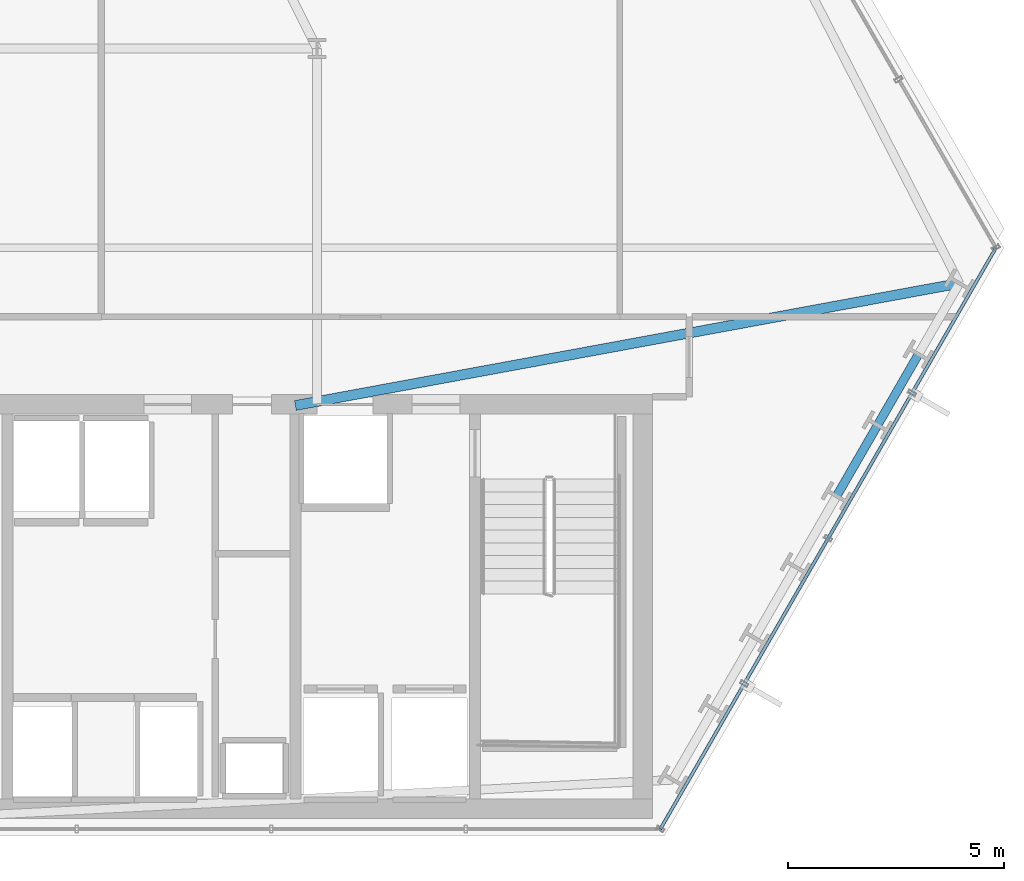
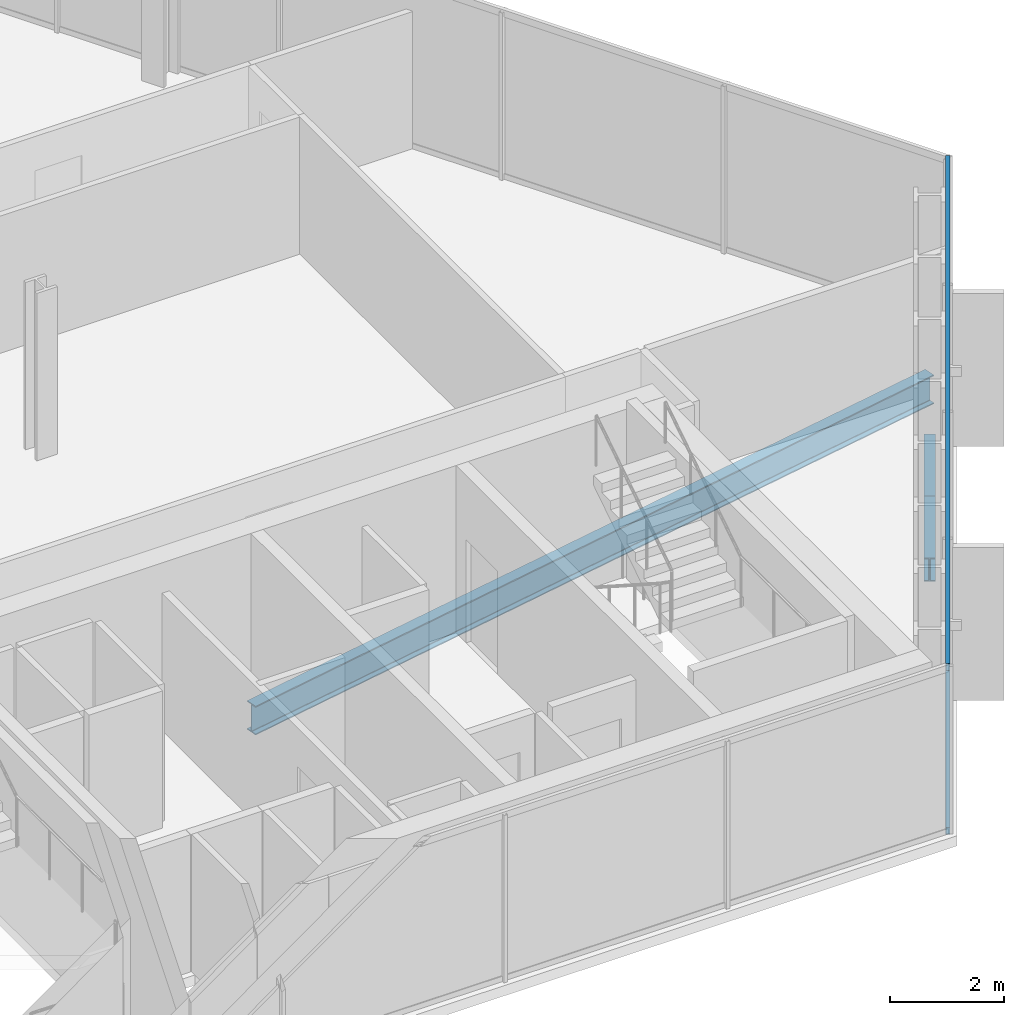
# One storey, part 16 of 32: 3 beams, 2 members, 1 element without a shape of its own.
"""IFC4 building model written with IfcOpenShell, lengths in metres."""

from ifc_helpers import new_model, si_unit, direction, frame, origin, origin_2d, place, context, subcontext, project, spatial, hollow_rectangle, i_section, extrude, material, layer, layer_set, material_profile, profile_set, type_object, element, aggregate, save


model = new_model("IFC4")

# Units and contexts
model_context = context("Model", 3, precision=1e-05, world=origin(), true_north=direction((0.0, 1.0)))
body_context = subcontext(model_context, "Body", "Model", "MODEL_VIEW")
ifc_project = project(units=[si_unit("LENGTHUNIT", "METRE"), si_unit("AREAUNIT", "SQUARE_METRE"), si_unit("VOLUMEUNIT", "CUBIC_METRE"), si_unit("PLANEANGLEUNIT", "RADIAN"), si_unit("MASSUNIT", "GRAM", prefix="KILO")], contexts=[model_context])

# Site, building, storey
site_placement = place(None, origin())
site = spatial("IfcSite", under=ifc_project, at=site_placement, CompositionType="ELEMENT")
building_placement = place(site_placement, origin())
building = spatial("IfcBuilding", under=site, at=building_placement, Name="Ndaravel Arena Tower", CompositionType="ELEMENT")
storey_placement = place(building_placement, frame((0.0, 0.0, 58.800048828125)))
storey = spatial("IfcBuildingStorey", under=building, at=storey_placement, Name="L12", CompositionType="ELEMENT", Elevation=58.800048828125)

# Beams
ifc_material_1 = material(Name="Steel S355", Category="steel")
ifc_material_profile_1 = material_profile(ifc_material_1, i_section(OverallWidth=0.230224609375, OverallDepth=0.6171875, WebThickness=0.01318359375, FlangeThickness=0.022216796875, FilletRadius=0.0126953125, at=origin_2d()), Name="UB 610x229x140")
ifc_profile_set_1 = profile_set([ifc_material_profile_1], Name="Steel S355")
beam_type_1 = type_object("IfcBeamType", Name="BM-GIRD-UB610B", PredefinedType="BEAM", material=ifc_profile_set_1)
beam_1_placement = place(storey_placement, frame((64.6484375, 17.7744140625, -0.528564453125), z_axis=(-0.983485958691, -0.180984444241, 0.0), x_axis=(0.180984444241, -0.983485958691, 0.0)))
element("IfcBeam", 1, at=beam_1_placement, inside=storey, type_object=beam_type_1, Name="L12 Radial Floor Girder FG-09", PredefinedType="BEAM", context=body_context, shape_type="SweptSolid", body=[
    extrude(i_section(OverallWidth=0.230224609375, OverallDepth=0.6171875, WebThickness=0.01318359375, FlangeThickness=0.022216796875, FilletRadius=0.0126953125, at=origin_2d()), origin(), (0.0, 0.0, 1.0), 15.606201171875),
])
ifc_material_2 = material(Name="Steel S355", Category="steel")
ifc_material_profile_2 = material_profile(ifc_material_2, i_section(OverallWidth=0.199951171875, OverallDepth=0.5, WebThickness=0.01025390625, FlangeThickness=0.01611328125, FilletRadius=0.02099609375, at=origin_2d()), Name="IPE 500")
ifc_profile_set_2 = profile_set([ifc_material_profile_2], Name="Steel S355")
beam_type_2 = type_object("IfcBeamType", Name="BM-SPAN-IPE500", PredefinedType="SPANDREL", material=ifc_profile_set_2)
beam_2_placement = place(storey_placement, frame((61.80908203125, 12.856689453125, -0.469970703125), z_axis=(0.500064840575, 0.865987964824, 0.0), x_axis=(-0.865987964824, 0.500064840575, 0.0)))
element("IfcBeam", 2, at=beam_2_placement, inside=storey, type_object=beam_type_2, Name="L12 Perimeter Spandrel Beam SP-06", PredefinedType="SPANDREL", context=body_context, shape_type="SweptSolid", body=[
    extrude(i_section(OverallWidth=0.199951171875, OverallDepth=0.5, WebThickness=0.01025390625, FlangeThickness=0.01611328125, FilletRadius=0.02099609375, at=origin_2d()), origin(), (0.0, 0.0, 1.0), 1.892822265625),
])
beam_3_placement = place(storey_placement, frame((62.755615234375, 14.495849609375, -0.469970703125), z_axis=(0.499968102766, 0.866043818878, 0.0), x_axis=(-0.866043818878, 0.499968102766, 0.0)))
element("IfcBeam", 3, at=beam_3_placement, inside=storey, type_object=beam_type_2, Name="L12 Perimeter Spandrel Beam SP-07", PredefinedType="SPANDREL", context=body_context, shape_type="SweptSolid", body=[
    extrude(i_section(OverallWidth=0.199951171875, OverallDepth=0.5, WebThickness=0.01025390625, FlangeThickness=0.01611328125, FilletRadius=0.02099609375, at=origin_2d()), origin(), (0.0, 0.0, 1.0), 1.892578125),
])

# Curtain wall, members
ifc_material_3 = material(Name="Aluminium", Category="aluminium")
ifc_layer = layer(ifc_material_3, 0.179931640625)
ifc_layer_set = layer_set([ifc_layer], Name="Aluminium")
curtain_wall_type = type_object("IfcCurtainWallType", Name="CW-SYS-01", PredefinedType="NOTDEFINED", material=ifc_layer_set)
curtain_wall_placement = place(storey_placement, origin())
curtain_wall = element("IfcCurtainWall", 4, at=curtain_wall_placement, inside=storey, type_object=curtain_wall_type, Name="L12 Faceted Crystal Curtain Wall CW-L12-E02", PredefinedType="NOTDEFINED")
ifc_material_4 = material(Name="Aluminium", Category="aluminium")
ifc_material_profile_3 = material_profile(ifc_material_4, hollow_rectangle(XDim=0.074951171875, YDim=0.14990234375, WallThickness=0.00390625, at=origin_2d()), Name="CW TRANSOM 75x150x4")
ifc_profile_set_3 = profile_set([ifc_material_profile_3], Name="Aluminium")
member_type = type_object("IfcMemberType", Name="MEM-CW-TRN150", PredefinedType="USERDEFINED", material=ifc_profile_set_3)
member_1_placement = place(storey_placement, frame((57.735107421875, 5.159912109375, 0.0400390625), z_axis=(0.499996743158, 0.866027284115, 0.0), x_axis=(-0.866027284115, 0.499996743158, 0.0)))
member_1 = element("IfcMember", 5, at=member_1_placement, type_object=member_type, Name="CW-L12-E02 Transom 01", ObjectType="TRANSOM", PredefinedType="USERDEFINED", context=body_context, shape_type="SweptSolid", body=[
    extrude(hollow_rectangle(XDim=0.074951171875, YDim=0.14990234375, WallThickness=0.00390625, at=origin_2d()), origin(), (0.0, 0.0, 1.0), 15.51220703125),
])
member_2_placement = place(storey_placement, frame((57.735107421875, 5.159912109375, 3.5400390625), z_axis=(0.499996743158, 0.866027284115, 0.0), x_axis=(-0.866027284115, 0.499996743158, 0.0)))
member_2 = element("IfcMember", 6, at=member_2_placement, type_object=member_type, Name="CW-L12-E02 Transom 02", ObjectType="TRANSOM", PredefinedType="USERDEFINED", context=body_context, shape_type="SweptSolid", body=[
    extrude(hollow_rectangle(XDim=0.074951171875, YDim=0.14990234375, WallThickness=0.00390625, at=origin_2d()), origin(), (0.0, 0.0, 1.0), 15.51220703125),
])
aggregate(curtain_wall, [member_1, member_2])

save(model, "model.ifc")
